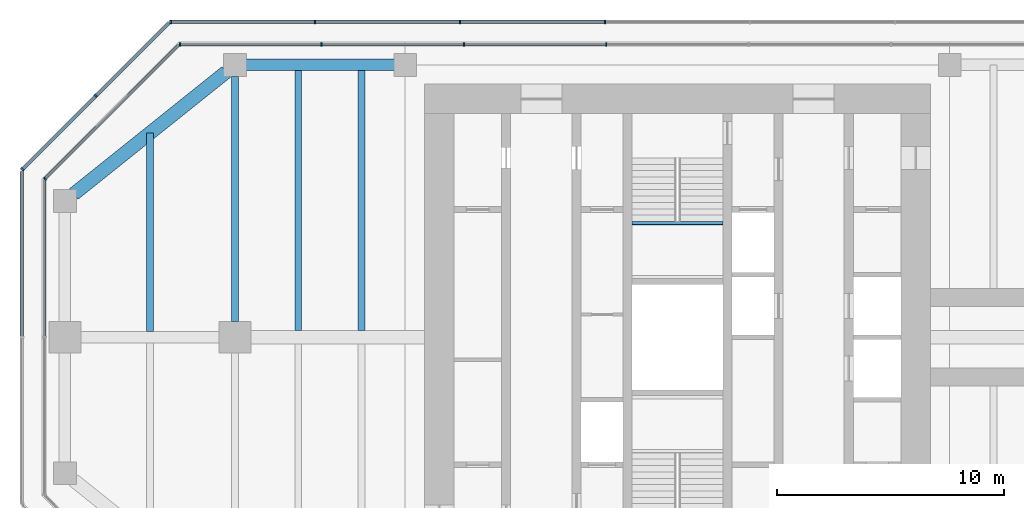
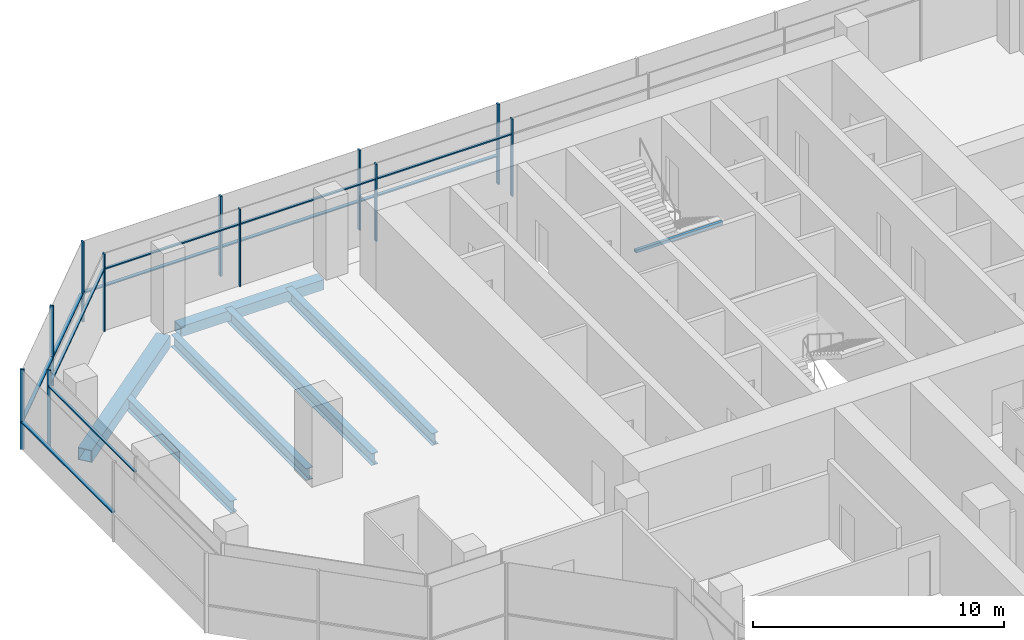
# One storey, part 6 of 15: 22 members, 7 beams, 6 elements without a shape of their own.
"""IFC4 building model written with IfcOpenShell, lengths in metres."""

from ifc_helpers import new_model, si_unit, direction, frame, origin, origin_2d, place, context, subcontext, project, spatial, rectangle, hollow_rectangle, i_section, extrude, material, material_profile, profile_set, type_object, element, aggregate, save


model = new_model("IFC4")

# Units and contexts
model_context = context("Model", 3, precision=1e-05, world=origin(), true_north=direction((0.0, 1.0)))
body_context = subcontext(model_context, "Body", "Model", "MODEL_VIEW")
ifc_project = project(units=[si_unit("LENGTHUNIT", "METRE"), si_unit("AREAUNIT", "SQUARE_METRE"), si_unit("VOLUMEUNIT", "CUBIC_METRE"), si_unit("PLANEANGLEUNIT", "RADIAN"), si_unit("MASSUNIT", "GRAM", prefix="KILO")], contexts=[model_context])

# Site, building, storey
site_placement = place(None, origin())
site = spatial("IfcSite", under=ifc_project, at=site_placement, CompositionType="ELEMENT")
building_placement = place(site_placement, origin())
building = spatial("IfcBuilding", under=site, at=building_placement, Name="Mizan Broadcast Tower", CompositionType="ELEMENT")
storey_placement = place(building_placement, frame((0.0, 0.0, 286.800048828125)))
storey = spatial("IfcBuildingStorey", under=building, at=storey_placement, Name="L68", CompositionType="ELEMENT", Elevation=286.800048828125)

# Beams
ifc_material_1 = material(Name="Steel S355", Category="steel")
ifc_material_profile_1 = material_profile(ifc_material_1, hollow_rectangle(XDim=0.5, YDim=0.5, WallThickness=0.030029296875, at=origin_2d()), Name="BOX 500x500x30")
ifc_profile_set_1 = profile_set([ifc_material_profile_1], Name="Steel S355")
beam_type_1 = type_object("IfcBeamType", Name="EDGE BEAM BOX 500x500x30", PredefinedType="SPANDREL", material=ifc_profile_set_1)
beam_1_placement = place(storey_placement, frame((-12.449951171875, 12.0, -0.380126953125), z_axis=(-1.0, 0.0, 0.0), x_axis=(0.0, -1.0, 0.0)))
element("IfcBeam", 1, at=beam_1_placement, inside=storey, type_object=beam_type_1, Name="Edge beam BOX 500x500x30 L68 west arm", PredefinedType="SPANDREL", context=body_context, shape_type="SweptSolid", body=[
    extrude(hollow_rectangle(XDim=0.5, YDim=0.5, WallThickness=0.030029296875, at=origin_2d()), origin(), (0.0, 0.0, 1.0), 6.60009765625),
])
ifc_material_2 = material(Name="Steel S355", Category="steel")
ifc_material_profile_2 = material_profile(ifc_material_2, hollow_rectangle(XDim=0.60009765625, YDim=0.60009765625, WallThickness=0.030029296875, at=origin_2d()), Name="BOX 600x600x30")
ifc_profile_set_2 = profile_set([ifc_material_profile_2], Name="Steel S355")
beam_type_2 = type_object("IfcBeamType", Name="EDGE BEAM BOX 600x600x30", PredefinedType="SPANDREL", material=ifc_profile_set_2)
beam_2_placement = place(storey_placement, frame((-19.890380859375, 11.687744140625, -0.429931640625), z_axis=(-0.780863273348, -0.62470196761, 0.0), x_axis=(0.62470196761, -0.780863273348, 0.0)))
element("IfcBeam", 2, at=beam_2_placement, inside=storey, type_object=beam_type_2, Name="Edge beam BOX 600x600x30 L68 west arm", PredefinedType="SPANDREL", context=body_context, shape_type="SweptSolid", body=[
    extrude(hollow_rectangle(XDim=0.60009765625, YDim=0.60009765625, WallThickness=0.030029296875, at=origin_2d()), origin(), (0.0, 0.0, 1.0), 8.60498046875),
])
ifc_material_3 = material(Name="Steel S355", Category="steel")
ifc_material_profile_3 = material_profile(ifc_material_3, i_section(OverallWidth=0.300048828125, OverallDepth=0.590087890625, WebThickness=0.012939453125, FlangeThickness=0.02490234375, FilletRadius=0.027099609375, at=origin_2d()), Name="HEA 600")
ifc_profile_set_3 = profile_set([ifc_material_profile_3], Name="Steel S355")
beam_type_3 = type_object("IfcBeamType", Name="GIRDER HEA 600", PredefinedType="BEAM", material=ifc_profile_set_3)
beam_3_placement = place(storey_placement, frame((-19.5, 11.5, -0.425048828125), z_axis=(0.0, -1.0, 0.0), x_axis=(1.0, 0.0, 0.0)))
element("IfcBeam", 3, at=beam_3_placement, inside=storey, type_object=beam_type_3, Name="Girder HEA 600 L68 west arm", PredefinedType="BEAM", context=body_context, shape_type="SweptSolid", body=[
    extrude(i_section(OverallWidth=0.300048828125, OverallDepth=0.590087890625, WebThickness=0.012939453125, FlangeThickness=0.02490234375, FilletRadius=0.027099609375, at=origin_2d()), origin(), (0.0, 0.0, 1.0), 10.800048828125),
])

# Curtain wall, members
ifc_material_4 = material(Name="Aluminium framed glazing", Category="aluminium")
curtain_wall_type_1 = type_object("IfcCurtainWallType", Name="INNER SKIN TOP ZONE", PredefinedType="USERDEFINED", material=ifc_material_4)
curtain_wall_1_placement = place(storey_placement, origin())
curtain_wall_1 = element("IfcCurtainWall", 4, at=curtain_wall_1_placement, inside=storey, type_object=curtain_wall_type_1, Name="Inner skin top zone L68 N end", ObjectType="INNER SKIN TOP ZONE", PredefinedType="USERDEFINED")
ifc_material_5 = material(Name="Aluminium, pale anodised", Category="aluminium")
ifc_material_profile_4 = material_profile(ifc_material_5, rectangle(XDim=0.159912109375, YDim=0.06005859375, at=origin_2d()), Name="MULLION 160x60")
ifc_profile_set_4 = profile_set([ifc_material_profile_4], Name="Aluminium, pale anodised")
member_type_1 = type_object("IfcMemberType", Name="INNER SKIN MULLION 60x160", PredefinedType="MULLION", material=ifc_profile_set_4)
member_1_placement = place(storey_placement, frame((-3.136962890625, 12.89990234375, 0.0), z_axis=(0.0, 0.0, 1.0), x_axis=(0.0, -1.0, 0.0)))
member_1 = element("IfcMember", 5, at=member_1_placement, type_object=member_type_1, Name="Inner skin top zone L68 N end mullion 5", PredefinedType="MULLION", context=body_context, shape_type="SweptSolid", body=[
    extrude(rectangle(XDim=0.159912109375, YDim=0.06005859375, at=origin_2d()), origin(), (0.0, 0.0, 1.0), 3.77001953125),
])
member_2_placement = place(storey_placement, frame((-9.410888671875, 12.89990234375, 0.0), z_axis=(0.0, 0.0, 1.0), x_axis=(0.0, -1.0, 0.0)))
member_2 = element("IfcMember", 6, at=member_2_placement, type_object=member_type_1, Name="Inner skin top zone L68 N end mullion 6", PredefinedType="MULLION", context=body_context, shape_type="SweptSolid", body=[
    extrude(rectangle(XDim=0.159912109375, YDim=0.06005859375, at=origin_2d()), origin(), (0.0, 0.0, 1.0), 3.77001953125),
])
member_3_placement = place(storey_placement, frame((-15.684814453125, 12.89990234375, 0.0), z_axis=(0.0, 0.0, 1.0), x_axis=(0.0, -1.0, 0.0)))
member_3 = element("IfcMember", 7, at=member_3_placement, type_object=member_type_1, Name="Inner skin top zone L68 N end mullion 7", PredefinedType="MULLION", context=body_context, shape_type="SweptSolid", body=[
    extrude(rectangle(XDim=0.159912109375, YDim=0.06005859375, at=origin_2d()), origin(), (0.0, 0.0, 1.0), 3.77001953125),
])
member_4_placement = place(storey_placement, frame((-21.928466796875, 12.89990234375, 0.0), z_axis=(0.0, 0.0, 1.0), x_axis=(0.0, -1.0, 0.0)))
member_4 = element("IfcMember", 8, at=member_4_placement, type_object=member_type_1, Name="Inner skin top zone L68 N end mullion 8", PredefinedType="MULLION", context=body_context, shape_type="SweptSolid", body=[
    extrude(rectangle(XDim=0.159912109375, YDim=0.06005859375, at=origin_2d()), origin(), (0.0, 0.0, 1.0), 3.77001953125),
])

# Curtain wall, member
curtain_wall_2_placement = place(storey_placement, origin())
curtain_wall_2 = element("IfcCurtainWall", 9, at=curtain_wall_2_placement, inside=storey, type_object=curtain_wall_type_1, Name="Inner skin top zone L68 W chamfer", ObjectType="INNER SKIN TOP ZONE", PredefinedType="USERDEFINED")
member_5_placement = place(storey_placement, frame((-27.87890625, 6.979736328125, 0.0), z_axis=(0.0, 0.0, 1.0), x_axis=(0.707106781187, -0.707106781187, 0.0)))
member_5 = element("IfcMember", 10, at=member_5_placement, type_object=member_type_1, Name="Inner skin top zone L68 W chamfer mullion 2", PredefinedType="MULLION", context=body_context, shape_type="SweptSolid", body=[
    extrude(rectangle(XDim=0.159912109375, YDim=0.06005859375, at=origin_2d()), origin(), (0.0, 0.0, 1.0), 3.77001953125),
])

# Member
ifc_material_6 = material(Name="Aluminium, pale anodised", Category="aluminium")
ifc_material_profile_5 = material_profile(ifc_material_6, rectangle(XDim=0.1201171875, YDim=0.06005859375, at=origin_2d()), Name="TRANSOM 120x60")
ifc_profile_set_5 = profile_set([ifc_material_profile_5], Name="Aluminium, pale anodised")
member_type_2 = type_object("IfcMemberType", Name="INNER SKIN TRANSOM 60x120", PredefinedType="USERDEFINED", material=ifc_profile_set_5)
member_6_placement = place(storey_placement, frame((-3.1669921875, 12.89990234375, 3.030029296875), z_axis=(-1.0, 0.0, 0.0), x_axis=(0.0, -1.0, 0.0)))
member_6 = element("IfcMember", 11, at=member_6_placement, type_object=member_type_2, Name="Inner skin top zone L68 N end transom 5.1", ObjectType="TRANSOM", PredefinedType="USERDEFINED", context=body_context, shape_type="SweptSolid", body=[
    extrude(rectangle(XDim=0.1201171875, YDim=0.06005859375, at=origin_2d()), origin(), (0.0, 0.0, 1.0), 6.2138671875),
])

member_7_placement = place(storey_placement, frame((-9.44091796875, 12.89990234375, 3.030029296875), z_axis=(-1.0, 0.0, 0.0), x_axis=(0.0, -1.0, 0.0)))
member_7 = element("IfcMember", 12, at=member_7_placement, type_object=member_type_2, Name="Inner skin top zone L68 N end transom 6.1", ObjectType="TRANSOM", PredefinedType="USERDEFINED", context=body_context, shape_type="SweptSolid", body=[
    extrude(rectangle(XDim=0.1201171875, YDim=0.06005859375, at=origin_2d()), origin(), (0.0, 0.0, 1.0), 6.2138671875),
])

member_8_placement = place(storey_placement, frame((-15.714599609375, 12.89990234375, 3.030029296875), z_axis=(-1.0, 0.0, 0.0), x_axis=(0.0, -1.0, 0.0)))
member_8 = element("IfcMember", 13, at=member_8_placement, type_object=member_type_2, Name="Inner skin top zone L68 N end transom 7.1", ObjectType="TRANSOM", PredefinedType="USERDEFINED", context=body_context, shape_type="SweptSolid", body=[
    extrude(rectangle(XDim=0.1201171875, YDim=0.06005859375, at=origin_2d()), origin(), (0.0, 0.0, 1.0), 6.18408203125),
])

aggregate(curtain_wall_1, [member_1, member_2, member_3, member_4, member_6, member_7, member_8])

member_9_placement = place(storey_placement, frame((-22.0009765625, 12.857666015625, 3.030029296875), z_axis=(-0.707106781187, -0.707106781187, 0.0), x_axis=(0.707106781187, -0.707106781187, 0.0)))
member_9 = element("IfcMember", 14, at=member_9_placement, type_object=member_type_2, Name="Inner skin top zone L68 W chamfer transom 1.1", ObjectType="TRANSOM", PredefinedType="USERDEFINED", context=body_context, shape_type="SweptSolid", body=[
    extrude(rectangle(XDim=0.1201171875, YDim=0.06005859375, at=origin_2d()), origin(), (0.0, 0.0, 1.0), 8.28271484375),
])

aggregate(curtain_wall_2, [member_5, member_9])

# Curtain wall, member
curtain_wall_3_placement = place(storey_placement, origin())
curtain_wall_3 = element("IfcCurtainWall", 15, at=curtain_wall_3_placement, inside=storey, type_object=curtain_wall_type_1, Name="Inner skin top zone L68 W end", ObjectType="INNER SKIN TOP ZONE", PredefinedType="USERDEFINED")
member_10_placement = place(storey_placement, frame((-27.89990234375, 6.898681640625, 3.030029296875), z_axis=(0.0, -1.0, 0.0), x_axis=(1.0, 0.0, 0.0)))
member_10 = element("IfcMember", 16, at=member_10_placement, type_object=member_type_2, Name="Inner skin top zone L68 W end transom 1.1", ObjectType="TRANSOM", PredefinedType="USERDEFINED", context=body_context, shape_type="SweptSolid", body=[
    extrude(rectangle(XDim=0.1201171875, YDim=0.06005859375, at=origin_2d()), origin(), (0.0, 0.0, 1.0), 6.86865234375),
])
aggregate(curtain_wall_3, [member_10])

# Beam
ifc_material_7 = material(Name="Steel S355", Category="steel")
ifc_material_profile_6 = material_profile(ifc_material_7, hollow_rectangle(XDim=0.14990234375, YDim=0.14990234375, WallThickness=0.008056640625, InnerFilletRadius=0.008056640625, OuterFilletRadius=0.011962890625, at=origin_2d()), Name="SHS 150x150x8")
ifc_profile_set_6 = profile_set([ifc_material_profile_6], Name="Steel S355")
beam_type_4 = type_object("IfcBeamType", Name="LANDING TRIMMER SHS 150x150x8", PredefinedType="BEAM", material=ifc_profile_set_6)
beam_4_placement = place(storey_placement, frame((2.0, 5.02490234375, 1.675048828125), z_axis=(-1.0, 0.0, 0.0), x_axis=(0.0, -1.0, 0.0)))
element("IfcBeam", 17, at=beam_4_placement, inside=storey, type_object=beam_type_4, Name="Stair B landing trimmer L68", PredefinedType="BEAM", context=body_context, shape_type="SweptSolid", body=[
    extrude(hollow_rectangle(XDim=0.14990234375, YDim=0.14990234375, WallThickness=0.008056640625, InnerFilletRadius=0.008056640625, OuterFilletRadius=0.011962890625, at=origin_2d()), origin(), (0.0, 0.0, 1.0), 4.0),
])

# Curtain wall, members
ifc_material_8 = material(Name="Aluminium framed glazing", Category="aluminium")
curtain_wall_type_2 = type_object("IfcCurtainWallType", Name="OUTER SKIN", PredefinedType="USERDEFINED", material=ifc_material_8)
curtain_wall_4_placement = place(storey_placement, origin())
curtain_wall_4 = element("IfcCurtainWall", 18, at=curtain_wall_4_placement, inside=storey, type_object=curtain_wall_type_2, Name="Outer skin L68 N end", ObjectType="OUTER SKIN", PredefinedType="USERDEFINED")
ifc_material_9 = material(Name="Aluminium, pale anodised", Category="aluminium")
ifc_material_profile_7 = material_profile(ifc_material_9, rectangle(XDim=0.159912109375, YDim=0.080078125, at=origin_2d()), Name="MULLION 160x80")
ifc_profile_set_7 = profile_set([ifc_material_profile_7], Name="Aluminium, pale anodised")
member_type_3 = type_object("IfcMemberType", Name="OUTER SKIN MULLION 80x160", PredefinedType="MULLION", material=ifc_profile_set_7)
member_11_placement = place(storey_placement, frame((-3.196044921875, 13.89990234375, 0.0), z_axis=(0.0, 0.0, 1.0), x_axis=(0.0, -1.0, 0.0)))
member_11 = element("IfcMember", 19, at=member_11_placement, type_object=member_type_3, Name="Outer skin L68 N end mullion 5", PredefinedType="MULLION", context=body_context, shape_type="SweptSolid", body=[
    extrude(rectangle(XDim=0.159912109375, YDim=0.080078125, at=origin_2d()), origin(), (0.0, 0.0, 1.0), 3.89990234375),
])
member_12_placement = place(storey_placement, frame((-9.58837890625, 13.89990234375, 0.0), z_axis=(0.0, 0.0, 1.0), x_axis=(0.0, -1.0, 0.0)))
member_12 = element("IfcMember", 20, at=member_12_placement, type_object=member_type_3, Name="Outer skin L68 N end mullion 6", PredefinedType="MULLION", context=body_context, shape_type="SweptSolid", body=[
    extrude(rectangle(XDim=0.159912109375, YDim=0.080078125, at=origin_2d()), origin(), (0.0, 0.0, 1.0), 3.89990234375),
])
member_13_placement = place(storey_placement, frame((-15.98046875, 13.89990234375, 0.0), z_axis=(0.0, 0.0, 1.0), x_axis=(0.0, -1.0, 0.0)))
member_13 = element("IfcMember", 21, at=member_13_placement, type_object=member_type_3, Name="Outer skin L68 N end mullion 7", PredefinedType="MULLION", context=body_context, shape_type="SweptSolid", body=[
    extrude(rectangle(XDim=0.159912109375, YDim=0.080078125, at=origin_2d()), origin(), (0.0, 0.0, 1.0), 3.89990234375),
])
member_14_placement = place(storey_placement, frame((-22.332763671875, 13.89990234375, 0.0), z_axis=(0.0, 0.0, 1.0), x_axis=(0.0, -1.0, 0.0)))
member_14 = element("IfcMember", 22, at=member_14_placement, type_object=member_type_3, Name="Outer skin L68 N end mullion 8", PredefinedType="MULLION", context=body_context, shape_type="SweptSolid", body=[
    extrude(rectangle(XDim=0.159912109375, YDim=0.080078125, at=origin_2d()), origin(), (0.0, 0.0, 1.0), 3.89990234375),
])

curtain_wall_5_placement = place(storey_placement, origin())
curtain_wall_5 = element("IfcCurtainWall", 23, at=curtain_wall_5_placement, inside=storey, type_object=curtain_wall_type_2, Name="Outer skin L68 W chamfer", ObjectType="OUTER SKIN", PredefinedType="USERDEFINED")
member_15_placement = place(storey_placement, frame((-25.636474609375, 10.636474609375, 0.0), z_axis=(0.0, 0.0, 1.0), x_axis=(0.707106781187, -0.707106781187, 0.0)))
member_15 = element("IfcMember", 24, at=member_15_placement, type_object=member_type_3, Name="Outer skin L68 W chamfer mullion 2", PredefinedType="MULLION", context=body_context, shape_type="SweptSolid", body=[
    extrude(rectangle(XDim=0.159912109375, YDim=0.080078125, at=origin_2d()), origin(), (0.0, 0.0, 1.0), 3.89990234375),
])
member_16_placement = place(storey_placement, frame((-28.871826171875, 7.401123046875, 0.0), z_axis=(0.0, 0.0, 1.0), x_axis=(0.707106781187, -0.707106781187, 0.0)))
member_16 = element("IfcMember", 25, at=member_16_placement, type_object=member_type_3, Name="Outer skin L68 W chamfer mullion 3", PredefinedType="MULLION", context=body_context, shape_type="SweptSolid", body=[
    extrude(rectangle(XDim=0.159912109375, YDim=0.080078125, at=origin_2d()), origin(), (0.0, 0.0, 1.0), 3.89990234375),
])

# Member
ifc_material_10 = material(Name="Aluminium, pale anodised", Category="aluminium")
ifc_material_profile_8 = material_profile(ifc_material_10, rectangle(XDim=0.159912109375, YDim=0.06005859375, at=origin_2d()), Name="TRANSOM 160x60")
ifc_profile_set_8 = profile_set([ifc_material_profile_8], Name="Aluminium, pale anodised")
member_type_4 = type_object("IfcMemberType", Name="OUTER SKIN TRANSOM 60x160", PredefinedType="USERDEFINED", material=ifc_profile_set_8)
member_17_placement = place(storey_placement, frame((-3.236083984375, 13.89990234375, 1.39990234375), z_axis=(-1.0, 0.0, 0.0), x_axis=(0.0, -1.0, 0.0)))
member_17 = element("IfcMember", 26, at=member_17_placement, type_object=member_type_4, Name="Outer skin L68 N end transom 5.1", ObjectType="TRANSOM", PredefinedType="USERDEFINED", context=body_context, shape_type="SweptSolid", body=[
    extrude(rectangle(XDim=0.159912109375, YDim=0.06005859375, at=origin_2d()), origin(), (0.0, 0.0, 1.0), 6.312255859375),
])

member_18_placement = place(storey_placement, frame((-9.62841796875, 13.89990234375, 1.39990234375), z_axis=(-1.0, 0.0, 0.0), x_axis=(0.0, -1.0, 0.0)))
member_18 = element("IfcMember", 27, at=member_18_placement, type_object=member_type_4, Name="Outer skin L68 N end transom 6.1", ObjectType="TRANSOM", PredefinedType="USERDEFINED", context=body_context, shape_type="SweptSolid", body=[
    extrude(rectangle(XDim=0.159912109375, YDim=0.06005859375, at=origin_2d()), origin(), (0.0, 0.0, 1.0), 6.312255859375),
])

member_19_placement = place(storey_placement, frame((-16.0205078125, 13.89990234375, 1.39990234375), z_axis=(-1.0, 0.0, 0.0), x_axis=(0.0, -1.0, 0.0)))
member_19 = element("IfcMember", 28, at=member_19_placement, type_object=member_type_4, Name="Outer skin L68 N end transom 7.1", ObjectType="TRANSOM", PredefinedType="USERDEFINED", context=body_context, shape_type="SweptSolid", body=[
    extrude(rectangle(XDim=0.159912109375, YDim=0.06005859375, at=origin_2d()), origin(), (0.0, 0.0, 1.0), 6.272216796875),
])

aggregate(curtain_wall_4, [member_11, member_12, member_13, member_14, member_17, member_18, member_19])

member_20_placement = place(storey_placement, frame((-22.429443359375, 13.843505859375, 1.39990234375), z_axis=(-0.707106781187, -0.707106781187, 0.0), x_axis=(0.707106781187, -0.707106781187, 0.0)))
member_20 = element("IfcMember", 29, at=member_20_placement, type_object=member_type_4, Name="Outer skin L68 W chamfer transom 1.1", ObjectType="TRANSOM", PredefinedType="USERDEFINED", context=body_context, shape_type="SweptSolid", body=[
    extrude(rectangle(XDim=0.159912109375, YDim=0.06005859375, at=origin_2d()), origin(), (0.0, 0.0, 1.0), 4.495361328125),
])

member_21_placement = place(storey_placement, frame((-25.664794921875, 10.608154296875, 1.39990234375), z_axis=(-0.707106781187, -0.707106781187, 0.0), x_axis=(0.707106781187, -0.707106781187, 0.0)))
member_21 = element("IfcMember", 30, at=member_21_placement, type_object=member_type_4, Name="Outer skin L68 W chamfer transom 2.1", ObjectType="TRANSOM", PredefinedType="USERDEFINED", context=body_context, shape_type="SweptSolid", body=[
    extrude(rectangle(XDim=0.159912109375, YDim=0.06005859375, at=origin_2d()), origin(), (0.0, 0.0, 1.0), 4.495361328125),
])

aggregate(curtain_wall_5, [member_15, member_16, member_20, member_21])

# Curtain wall, member
curtain_wall_6_placement = place(storey_placement, origin())
curtain_wall_6 = element("IfcCurtainWall", 31, at=curtain_wall_6_placement, inside=storey, type_object=curtain_wall_type_2, Name="Outer skin L68 W end", ObjectType="OUTER SKIN", PredefinedType="USERDEFINED")
member_22_placement = place(storey_placement, frame((-28.89990234375, 7.292724609375, 1.39990234375), z_axis=(0.0, -1.0, 0.0), x_axis=(1.0, 0.0, 0.0)))
member_22 = element("IfcMember", 32, at=member_22_placement, type_object=member_type_4, Name="Outer skin L68 W end transom 1.1", ObjectType="TRANSOM", PredefinedType="USERDEFINED", context=body_context, shape_type="SweptSolid", body=[
    extrude(rectangle(XDim=0.159912109375, YDim=0.06005859375, at=origin_2d()), origin(), (0.0, 0.0, 1.0), 7.252685546875),
])
aggregate(curtain_wall_6, [member_22])

# Beams
ifc_material_11 = material(Name="Steel S355", Category="steel")
ifc_material_profile_9 = material_profile(ifc_material_11, i_section(OverallWidth=0.300048828125, OverallDepth=0.590087890625, WebThickness=0.012939453125, FlangeThickness=0.02490234375, FilletRadius=0.027099609375, at=origin_2d()), Name="HEA 600")
ifc_profile_set_9 = profile_set([ifc_material_profile_9], Name="Steel S355")
beam_type_5 = type_object("IfcBeamType", Name="SECONDARY BEAM HEA 600", PredefinedType="JOIST", material=ifc_profile_set_9)
for number, where, z_axis, x_axis, name in (
    (33, (-13.933349609375, 12.0, -0.425048828125), (0.0, -1.0, 0.0), (1.0, 0.0, 0.0), "Secondary beam HEA 600 L68 west arm"),
    (34, (-16.716552734375, 12.0, -0.425048828125), (0.0, -1.0, 0.0), (1.0, 0.0, 0.0), "Secondary beam HEA 600 L68 west arm"),
):
    element("IfcBeam", number, at=place(storey_placement, frame(where, z_axis=z_axis, x_axis=x_axis)), inside=storey, type_object=beam_type_5, Name=name, PredefinedType="JOIST", context=body_context, shape_type="SweptSolid", body=[
        extrude(i_section(OverallWidth=0.300048828125, OverallDepth=0.590087890625, WebThickness=0.012939453125, FlangeThickness=0.02490234375, FilletRadius=0.027099609375, at=origin_2d()), origin(), (0.0, 0.0, 1.0), 11.699951171875),
    ])
beam_5_placement = place(storey_placement, frame((-23.25, 9.0, -0.425048828125), z_axis=(0.0, -1.0, 0.0), x_axis=(1.0, 0.0, 0.0)))
element("IfcBeam", 35, at=beam_5_placement, inside=storey, type_object=beam_type_5, Name="Secondary beam HEA 600 L68 west arm", PredefinedType="JOIST", context=body_context, shape_type="SweptSolid", body=[
    extrude(i_section(OverallWidth=0.300048828125, OverallDepth=0.590087890625, WebThickness=0.012939453125, FlangeThickness=0.02490234375, FilletRadius=0.027099609375, at=origin_2d()), origin(), (0.0, 0.0, 1.0), 8.75),
])

save(model, "model.ifc")
